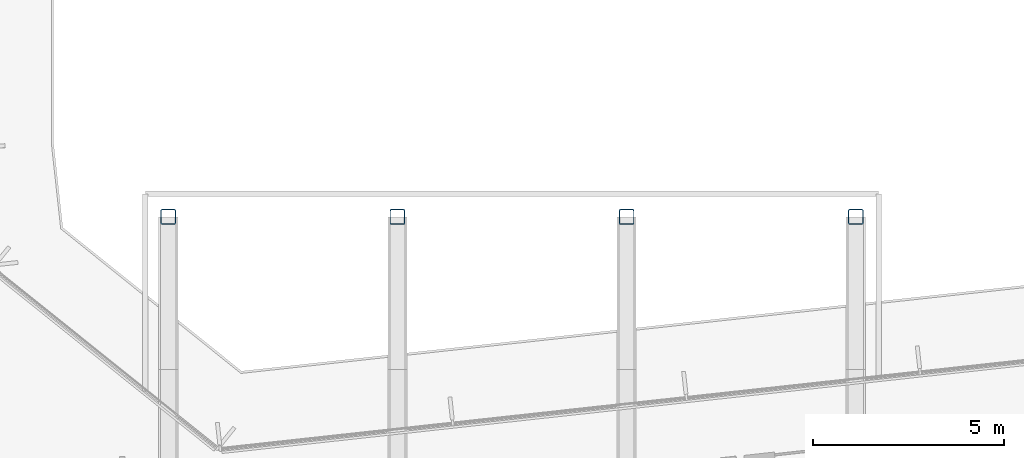
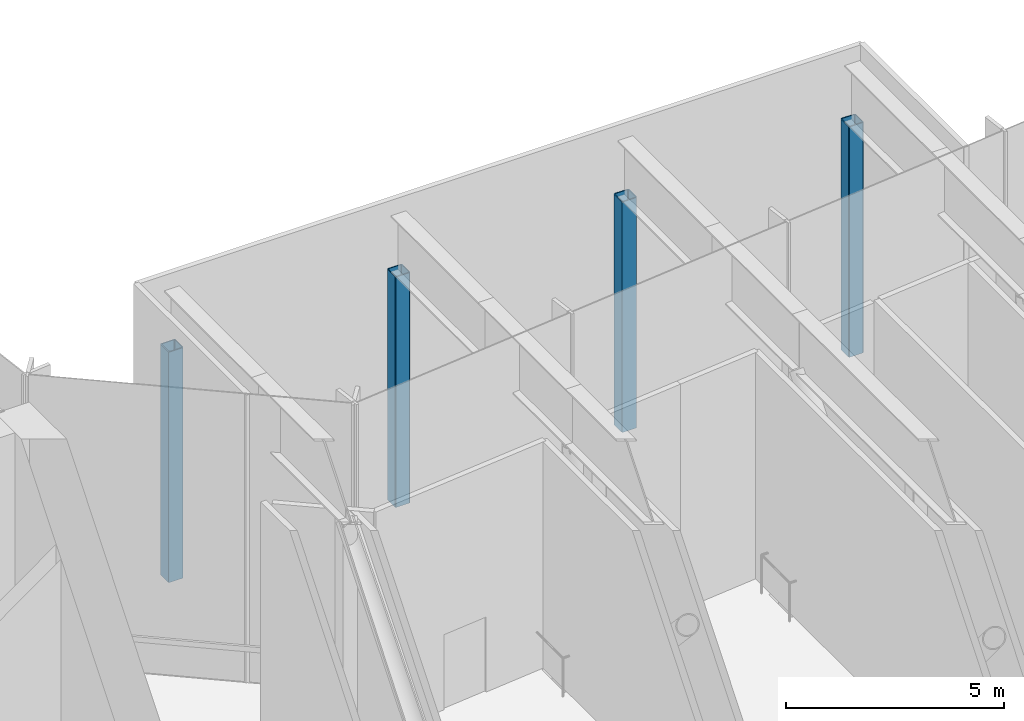
# One storey, part 10 of 25: 4 members.
"""IFC4 building model written with IfcOpenShell, lengths in metres."""

import ifcopenshell
import ifcopenshell.guid

model = None  # the IFC model being written
_history = None  # IfcOwnerHistory: only IFC2X3 demands one
_inside = {}  # id of a spatial element -> (the spatial element, [elements in it])
_under = {}  # id of a project, library or spatial element -> (it, [spatial elements below it])
_declared = {}  # id of a project -> (the project, [libraries it declares])
_typed = {}  # id of a type object -> (the type object, [elements of that type])
_made_of = {}  # id of a material, layer set ... -> (it, [elements and type objects made of it])


def new_model(schema):
    """Start an empty IFC model of exactly this schema.

    Asked for "IFC4X3", IfcOpenShell would pick the latest addendum, in which some entities
    have other attributes; the version numbers below select the first issue.
    IFC2X3 requires an IfcOwnerHistory on every rooted entity: one is made here for all.
    """
    global model, _history
    if schema == "IFC4X3":
        model = ifcopenshell.file(schema_version=(4, 3, 0, 0))
    else:
        model = ifcopenshell.file(schema=schema)
    _inside.clear()
    _under.clear()
    _declared.clear()
    _typed.clear()
    _made_of.clear()
    _history = None
    if model.schema == "IFC2X3":
        org = make("IfcOrganization", Name="unknown")
        user = make(
            "IfcPersonAndOrganization",
            ThePerson=make("IfcPerson", FamilyName="unknown"),
            TheOrganization=org,
        )
        app = make(
            "IfcApplication",
            ApplicationDeveloper=org,
            Version="unknown",
            ApplicationFullName="unknown",
            ApplicationIdentifier="unknown",
        )
        _history = make(
            "IfcOwnerHistory",
            OwningUser=user,
            OwningApplication=app,
            ChangeAction="ADDED",
            CreationDate=0,
        )
    return model


def make(cls, **values):
    """One entity of the class cls with the attributes given. An attribute that is None is left unset."""
    return model.create_entity(
        cls, **{name: value for name, value in values.items() if value is not None}
    )


def rooted(cls, **values):
    """An entity with a GlobalId (a new one), such as an element, a storey or a relation."""
    return make(cls, GlobalId=ifcopenshell.guid.new(), OwnerHistory=_history, **values)


def si_unit(unit_type, name, prefix=None):
    """IfcSIUnit, for example si_unit("LENGTHUNIT", "METRE", prefix="MILLI")."""
    return make("IfcSIUnit", UnitType=unit_type, Prefix=prefix, Name=name)


def assignment(units):
    """IfcUnitAssignment: the units of a project."""
    return None if units is None else make("IfcUnitAssignment", Units=units)


def point(xyz):
    """IfcCartesianPoint."""
    return None if xyz is None else make("IfcCartesianPoint", Coordinates=xyz)


def direction(xyz):
    """IfcDirection."""
    return None if xyz is None else make("IfcDirection", DirectionRatios=xyz)


def frame(location, z_axis=None, x_axis=None):
    """IfcAxis2Placement3D, a coordinate frame: its origin and axes. An axis left out is left unset."""
    return make(
        "IfcAxis2Placement3D",
        Location=point(location),
        Axis=direction(z_axis),
        RefDirection=direction(x_axis),
    )


def frame_2d(location, x_axis=None):
    """IfcAxis2Placement2D, a coordinate frame in the plane: its origin and x axis."""
    return make(
        "IfcAxis2Placement2D", Location=point(location), RefDirection=direction(x_axis)
    )


def origin():
    """The frame at (0, 0, 0) with its axes left unset."""
    return frame((0.0, 0.0, 0.0))


def origin_2d():
    """The frame at (0, 0) in the plane with its x axis left unset."""
    return frame_2d((0.0, 0.0))


def place(relative_to, where):
    """IfcLocalPlacement: puts the frame where relative to a parent placement (None: the world)."""
    return make(
        "IfcLocalPlacement", PlacementRelTo=relative_to, RelativePlacement=where
    )


def context(
    kind, dimensions, precision=None, world=None, true_north=None, identifier=None
):
    """IfcGeometricRepresentationContext, for example the 3D "Model" context."""
    return make(
        "IfcGeometricRepresentationContext",
        ContextIdentifier=identifier,
        ContextType=kind,
        CoordinateSpaceDimension=dimensions,
        Precision=precision,
        WorldCoordinateSystem=world,
        TrueNorth=true_north,
    )


def subcontext(parent, identifier, kind, view, scale=None):
    """IfcGeometricRepresentationSubContext, for example "Body" below "Model"."""
    return make(
        "IfcGeometricRepresentationSubContext",
        ContextIdentifier=identifier,
        ContextType=kind,
        ParentContext=parent,
        TargetScale=scale,
        TargetView=view,
    )


def project(units=None, contexts=None):
    """IfcProject with its units and contexts."""
    return rooted(
        "IfcProject",
        Name="project",
        RepresentationContexts=contexts,
        UnitsInContext=assignment(units),
    )


def spatial(cls, under=None, at=None, **own):
    """A site, building, storey or space (cls), placed at a placement, below another one or the project."""
    s = rooted(cls, ObjectPlacement=at, **own)
    if under is not None:
        _under.setdefault(under.id(), (under, []))[1].append(s)
    return s


def profile(cls, at=None, kind="AREA", **sizes):
    """A parametric profile (cls). Its sizes go by their IFC names, for example OverallWidth=200.0."""
    return make(cls, ProfileType=kind, Position=at, **sizes)


def hollow_rectangle(**sizes):
    """IfcRectangleHollowProfileDef."""
    return profile("IfcRectangleHollowProfileDef", **sizes)


def extrude(swept, where, along, depth):
    """IfcExtrudedAreaSolid: the profile swept, set in the frame where, extruded along a direction by depth."""
    return make(
        "IfcExtrudedAreaSolid",
        SweptArea=swept,
        Position=where,
        ExtrudedDirection=direction(along),
        Depth=depth,
    )


def shape(context_of_items, identifier, shape_type, items):
    """IfcShapeRepresentation: the items that make up one representation, for example the "Body"."""
    return make(
        "IfcShapeRepresentation",
        ContextOfItems=context_of_items,
        RepresentationIdentifier=identifier,
        RepresentationType=shape_type,
        Items=items,
    )


def material(Name=None, Category=None):
    """IfcMaterial."""
    return make("IfcMaterial", Name=Name, Category=Category)


def material_profile(
    of_material, cross_section, Name=None, Category=None, Priority=None
):
    """IfcMaterialProfile: a cross section and its material."""
    return make(
        "IfcMaterialProfile",
        Name=Name,
        Material=of_material,
        Profile=cross_section,
        Priority=Priority,
        Category=Category,
    )


def profile_set(profiles, Name=None, composite=None):
    """IfcMaterialProfileSet."""
    return make(
        "IfcMaterialProfileSet",
        Name=Name,
        MaterialProfiles=profiles,
        CompositeProfile=composite,
    )


def made_of(thing, what):
    """Note that an element or type object is made of a material, layer set ...; save() writes the relation."""
    if what is not None:
        _made_of.setdefault(what.id(), (what, []))[1].append(thing)
    return thing


def type_object(cls, material=None, **own):
    """A type object (cls), such as IfcWallType, which elements share."""
    return made_of(rooted(cls, **own), material)


def element(
    cls,
    number,
    at=None,
    inside=None,
    cuts=None,
    type_object=None,
    material=None,
    context=None,
    identifier="Body",
    shape_type=None,
    held_by="IfcProductDefinitionShape",
    body=None,
    shapes=None,
    **own,
):
    """One element of the class cls, such as IfcWall. Its Tag is "e" and its number.

    at: its placement. inside: the storey or other place that contains it. cuts: it is an
    opening in that element (IfcRelVoidsElement). A single representation is given by context,
    identifier, shape_type and body (its items); several are given by shapes. held_by: the class
    of the entity that holds the representations. save() writes the other relations.
    """
    e = rooted(cls, Tag="e%d" % number, ObjectPlacement=at, **own)
    if body is not None:
        shapes = [shape(context, identifier, shape_type, body)]
    if shapes is not None:
        e.Representation = make(held_by, Representations=shapes)
    if inside is not None:
        _inside.setdefault(inside.id(), (inside, []))[1].append(e)
    if cuts is not None:
        rooted(
            "IfcRelVoidsElement", RelatingBuildingElement=cuts, RelatedOpeningElement=e
        )
    if type_object is not None:
        _typed.setdefault(type_object.id(), (type_object, []))[1].append(e)
    return made_of(e, material)


def aggregate(whole, parts):
    """IfcRelAggregates: a whole, such as a stair, and the parts it consists of."""
    return rooted("IfcRelAggregates", RelatingObject=whole, RelatedObjects=parts)


def save(model, path):
    """Write the relations noted so far, then the file.

    IfcRelAggregates (storeys below a building ...), IfcRelContainedInSpatialStructure (elements
    in a storey), IfcRelDefinesByType, IfcRelAssociatesMaterial and IfcRelDeclares: one each for
    every whole, place, type object, material and project.
    """
    for whole, parts in _under.values():
        aggregate(whole, parts)
    for where, things in _inside.values():
        rooted(
            "IfcRelContainedInSpatialStructure",
            RelatedElements=things,
            RelatingStructure=where,
        )
    for kind, things in _typed.values():
        rooted("IfcRelDefinesByType", RelatedObjects=things, RelatingType=kind)
    for what, things in _made_of.values():
        rooted("IfcRelAssociatesMaterial", RelatedObjects=things, RelatingMaterial=what)
    for by, libraries in _declared.values():
        rooted("IfcRelDeclares", RelatingContext=by, RelatedDefinitions=libraries)
    model.write(path)


model = new_model("IFC4")

# Units and contexts
model_context = context("Model", 3, precision=1e-05, world=origin(), true_north=direction((0.0, 1.0)))
body_context = subcontext(model_context, "Body", "Model", "MODEL_VIEW")
ifc_project = project(units=[si_unit("LENGTHUNIT", "METRE"), si_unit("AREAUNIT", "SQUARE_METRE"), si_unit("VOLUMEUNIT", "CUBIC_METRE"), si_unit("PLANEANGLEUNIT", "RADIAN"), si_unit("MASSUNIT", "GRAM", prefix="KILO")], contexts=[model_context])

# Site, building, storey
site_placement = place(None, origin())
site = spatial("IfcSite", under=ifc_project, at=site_placement, CompositionType="ELEMENT")
building_placement = place(site_placement, origin())
building = spatial("IfcBuilding", under=site, at=building_placement, Name="Welwitschia Terrace Campus", CompositionType="ELEMENT")
storey_placement = place(building_placement, frame((0.0, 0.0, 79.39990234375)))
storey = spatial("IfcBuildingStorey", under=building, at=storey_placement, Name="L18", CompositionType="ELEMENT", Elevation=79.39990234375)

# Members
ifc_material = material(Name="Steel S355", Category="steel")
ifc_material_profile = material_profile(ifc_material, hollow_rectangle(XDim=0.39990234375, YDim=0.39990234375, WallThickness=0.02490234375, InnerFilletRadius=0.02490234375, OuterFilletRadius=0.03759765625, at=origin_2d()))
ifc_profile_set = profile_set([ifc_material_profile], Name="Steel S355")
member_type = type_object("IfcMemberType", Name="Transfer truss C1 post SHS 400x400x25", PredefinedType="POST", material=ifc_profile_set)
for number, where, z_axis, x_axis, name in (
    (1, (30.0, 28.0, 0.0), (0.0, 0.0, 1.0), (1.0, 0.0, 0.0), "Truss post"),
    (2, (36.0, 28.0, 0.0), (0.0, 0.0, 1.0), (1.0, 0.0, 0.0), "Truss post"),
    (3, (42.0, 28.0, 0.0), (0.0, 0.0, 1.0), (1.0, 0.0, 0.0), "Truss post"),
    (4, (48.0, 28.0, 0.0), (0.0, 0.0, 1.0), (1.0, 0.0, 0.0), "Truss post"),
):
    element("IfcMember", number, at=place(storey_placement, frame(where, z_axis=z_axis, x_axis=x_axis)), inside=storey, type_object=member_type, Name=name, PredefinedType="POST", context=body_context, shape_type="SweptSolid", body=[
        extrude(hollow_rectangle(XDim=0.39990234375, YDim=0.39990234375, WallThickness=0.02490234375, InnerFilletRadius=0.02490234375, OuterFilletRadius=0.03759765625, at=origin_2d()), origin(), (0.0, 0.0, 1.0), 6.4501953125),
    ])

save(model, "model.ifc")
